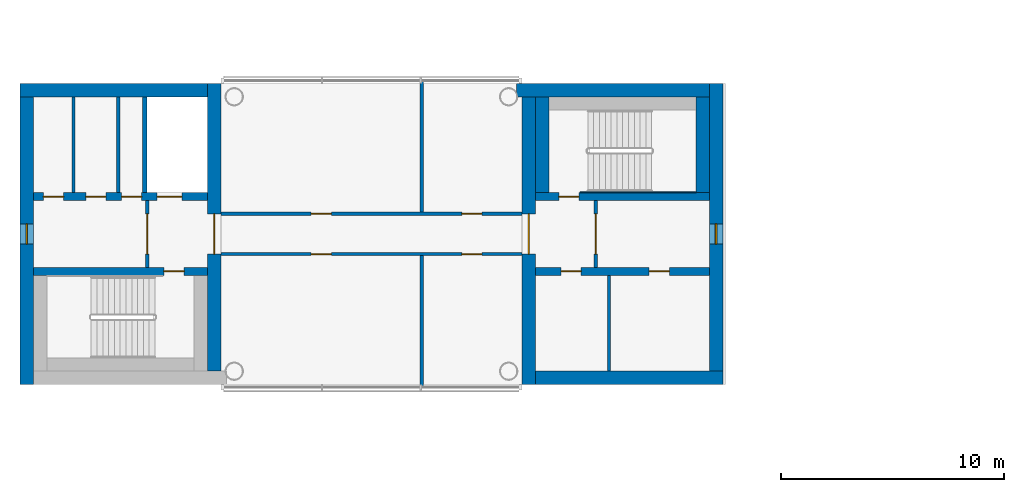
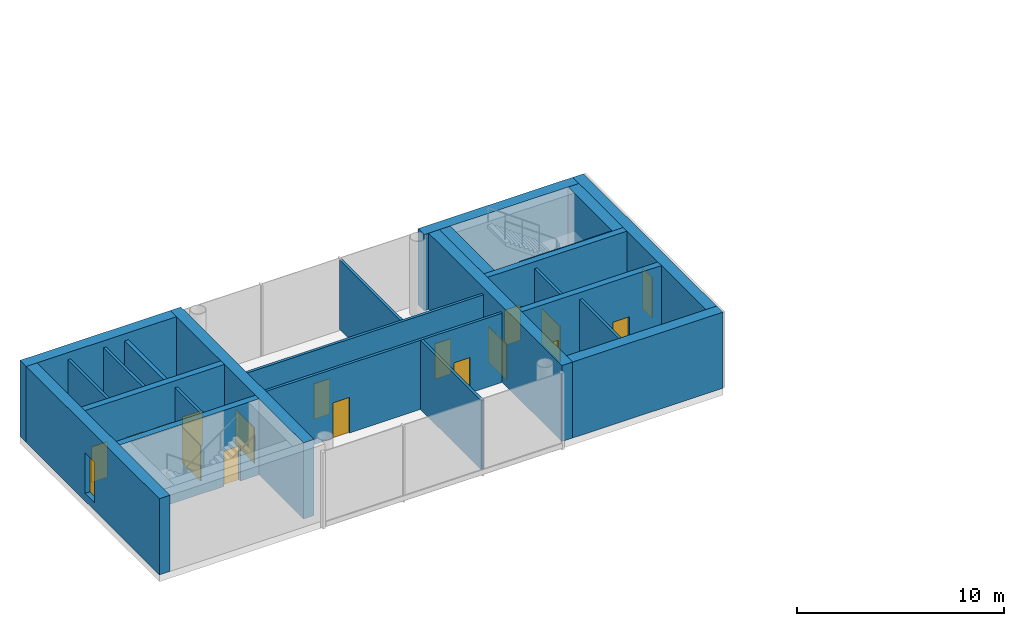
# One storey, part 5 of 12: 24 walls, 16 doors, 2 windows, 18 openings.
"""IFC4 building model written with IfcOpenShell, lengths in metres."""

from ifc_helpers import new_model, si_unit, direction, frame, frame_2d, origin, place, context, subcontext, project, spatial, rectangle, extrude, material, layer, layer_set, type_object, element, fill, save


model = new_model("IFC4")

# Units and contexts
model_context = context("Model", 3, precision=1e-05, world=origin(), true_north=direction((0.0, 1.0)))
body_context = subcontext(model_context, "Body", "Model", "MODEL_VIEW")
ifc_project = project(units=[si_unit("LENGTHUNIT", "METRE"), si_unit("AREAUNIT", "SQUARE_METRE"), si_unit("VOLUMEUNIT", "CUBIC_METRE"), si_unit("PLANEANGLEUNIT", "RADIAN"), si_unit("MASSUNIT", "GRAM", prefix="KILO")], contexts=[model_context])

# Site, building, storey
site_placement = place(None, origin())
site = spatial("IfcSite", under=ifc_project, at=site_placement, CompositionType="ELEMENT")
building_placement = place(site_placement, origin())
building = spatial("IfcBuilding", under=site, at=building_placement, Name="Ipe Terrace Towers", CompositionType="ELEMENT")
storey_placement = place(building_placement, frame((0.0, 0.0, 260.39990234375)))
storey = spatial("IfcBuildingStorey", under=building, at=storey_placement, Name="L71", CompositionType="ELEMENT", Elevation=260.39990234375)

# Wall, opening, door
ifc_material_1 = material(Name="Gypsum board partition", Category="plasterboard")
ifc_layer_1 = layer(ifc_material_1, 0.14990234375)
ifc_layer_set_1 = layer_set([ifc_layer_1], Name="Gypsum board partition 150 mm")
wall_type_1 = type_object("IfcWallType", Name="Gypsum board partition 150 mm", PredefinedType="PARTITIONING", material=ifc_layer_set_1)
wall_1_placement = place(storey_placement, frame((-25.949951171875, -1.5, 0.0), z_axis=(0.0, 0.0, 1.0), x_axis=(0.0, 1.0, 0.0)))
wall_1 = element("IfcWall", 1, at=wall_1_placement, inside=storey, type_object=wall_type_1, Name="Gypsum board partition T1 L71 t1c1-lobby-wall", PredefinedType="PARTITIONING", context=body_context, shape_type="SweptSolid", body=[
    extrude(rectangle(XDim=3.0, YDim=0.14990234375, at=frame_2d((1.5, 0.0))), origin(), (0.0, 0.0, 1.0), 4.090087890625),
])
opening_1_placement = place(wall_1_placement, frame((0.60009765625, 0.0, 0.0)))
opening_1 = element("IfcOpeningElement", 2, at=opening_1_placement, cuts=wall_1, Name="Opening T1C1-VD", PredefinedType="OPENING", context=body_context, shape_type="SweptSolid", body=[
    extrude(rectangle(XDim=1.800048828125, YDim=2.10009765625, at=frame_2d((0.89990234375, 1.050048828125))), frame((0.0, 0.0849609375, 0.0), z_axis=(0.0, -1.0, 0.0), x_axis=(1.0, 0.0, 0.0)), (0.0, 0.0, 1.0), 0.169921875),
])
ifc_material_2 = material(Name="Fire-rated timber door leaf", Category="wood")
door_type_1 = type_object("IfcDoorType", Name="Lobby door 1800 x 2100 FD60", OperationType="NOTDEFINED", PredefinedType="DOOR", material=ifc_material_2)
door_1_placement = place(opening_1_placement, origin())
door_1 = element("IfcDoor", 3, at=door_1_placement, inside=storey, type_object=door_type_1, Name="Lobby door T1C1-VD", OperationType="SINGLE_SWING_LEFT", OverallHeight=2.10009765625, OverallWidth=1.800048828125, PredefinedType="DOOR", context=body_context, shape_type="SweptSolid", body=[
    extrude(rectangle(XDim=1.800048828125, YDim=2.10009765625, at=frame_2d((0.89990234375, 1.050048828125))), frame((0.0, 0.02490234375, 0.0), z_axis=(0.0, -1.0, 0.0), x_axis=(1.0, 0.0, 0.0)), (0.0, 0.0, 1.0), 0.050048828125),
])
fill(opening_1, door_1)

# Wall
wall_2_placement = place(storey_placement, frame((-25.35009765625, -6.14990234375, 0.0), z_axis=(0.0, 0.0, 1.0), x_axis=(0.0, 1.0, 0.0)))
element("IfcWall", 4, at=wall_2_placement, inside=storey, type_object=wall_type_1, Name="Gypsum board partition T1 L71 t1c1-p2-div", PredefinedType="PARTITIONING", context=body_context, shape_type="SweptSolid", body=[
    extrude(rectangle(XDim=4.2998046875, YDim=0.14990234375, at=frame_2d((2.14990234375, 0.0))), origin(), (0.0, 0.0, 1.0), 4.090087890625),
])

# Wall, opening, door
wall_3_placement = place(storey_placement, frame((-46.050048828125, 1.5, 0.0), z_axis=(0.0, 0.0, 1.0), x_axis=(0.0, -1.0, 0.0)))
wall_3 = element("IfcWall", 5, at=wall_3_placement, inside=storey, type_object=wall_type_1, Name="Gypsum board partition T1 L71 t1c2-lobby-wall", PredefinedType="PARTITIONING", context=body_context, shape_type="SweptSolid", body=[
    extrude(rectangle(XDim=3.0, YDim=0.14990234375, at=frame_2d((1.5, 0.0))), origin(), (0.0, 0.0, 1.0), 4.090087890625),
])
opening_2_placement = place(wall_3_placement, frame((0.60009765625, 0.0, 0.0)))
opening_2 = element("IfcOpeningElement", 6, at=opening_2_placement, cuts=wall_3, Name="Opening T1C2-VD", PredefinedType="OPENING", context=body_context, shape_type="SweptSolid", body=[
    extrude(rectangle(XDim=1.800048828125, YDim=2.10009765625, at=frame_2d((0.89990234375, 1.050048828125))), frame((0.0, 0.0849609375, 0.0), z_axis=(0.0, -1.0, 0.0), x_axis=(1.0, 0.0, 0.0)), (0.0, 0.0, 1.0), 0.169921875),
])
door_2_placement = place(opening_2_placement, origin())
door_2 = element("IfcDoor", 7, at=door_2_placement, inside=storey, type_object=door_type_1, Name="Lobby door T1C2-VD", OperationType="SINGLE_SWING_LEFT", OverallHeight=2.10009765625, OverallWidth=1.800048828125, PredefinedType="DOOR", context=body_context, shape_type="SweptSolid", body=[
    extrude(rectangle(XDim=1.800048828125, YDim=2.10009765625, at=frame_2d((0.89990234375, 1.050048828125))), frame((0.0, 0.02490234375, 0.0), z_axis=(0.0, -1.0, 0.0), x_axis=(1.0, 0.0, 0.0)), (0.0, 0.0, 1.0), 0.050048828125),
])
fill(opening_2, door_2)

# Walls
for number, where, z_axis, x_axis, name in (
    (8, (-47.35009765625, 6.14990234375, 0.0), (0.0, 0.0, 1.0), (0.0, -1.0, 0.0), "Gypsum board partition T1 L71 t1c2-q2-div"),
    (9, (-49.35009765625, 6.14990234375, 0.0), (0.0, 0.0, 1.0), (0.0, -1.0, 0.0), "Gypsum board partition T1 L71 t1c2-q3-div"),
):
    element("IfcWall", number, at=place(storey_placement, frame(where, z_axis=z_axis, x_axis=x_axis)), inside=storey, type_object=wall_type_1, Name=name, PredefinedType="PARTITIONING", context=body_context, shape_type="SweptSolid", body=[
        extrude(rectangle(XDim=4.2998046875, YDim=0.14990234375, at=frame_2d((2.14990234375, 0.0))), origin(), (0.0, 0.0, 1.0), 4.090087890625),
    ])

# Wall, openings, doors
wall_4_placement = place(storey_placement, frame((-42.75, 0.89990234375, 0.0), z_axis=(0.0, 0.0, 1.0), x_axis=(1.0, 0.0, 0.0)))
wall_4 = element("IfcWall", 10, at=wall_4_placement, inside=storey, type_object=wall_type_1, Name="Gypsum board partition T1 L71 sp-hub-wp", PredefinedType="PARTITIONING", context=body_context, shape_type="SweptSolid", body=[
    extrude(rectangle(XDim=13.5, YDim=0.14990234375, at=frame_2d((6.75, 0.0))), origin(), (0.0, 0.0, 1.0), 4.090087890625),
])
opening_3_placement = place(wall_4_placement, frame((4.050048828125, 0.0, 0.0)))
opening_3 = element("IfcOpeningElement", 11, at=opening_3_placement, cuts=wall_4, Name="Opening T1-SP-HP1", PredefinedType="OPENING", context=body_context, shape_type="SweptSolid", body=[
    extrude(rectangle(XDim=0.89990234375, YDim=2.10009765625, at=frame_2d((0.449951171875, 1.050048828125))), frame((0.0, 0.0849609375, 0.0), z_axis=(0.0, -1.0, 0.0), x_axis=(1.0, 0.0, 0.0)), (0.0, 0.0, 1.0), 0.169921875),
])
opening_4_placement = place(wall_4_placement, frame((10.800048828125, 0.0, 0.0)))
opening_4 = element("IfcOpeningElement", 12, at=opening_4_placement, cuts=wall_4, Name="Opening T1-SP-HP2", PredefinedType="OPENING", context=body_context, shape_type="SweptSolid", body=[
    extrude(rectangle(XDim=0.89990234375, YDim=2.10009765625, at=frame_2d((0.449951171875, 1.050048828125))), frame((0.0, 0.0849609375, 0.0), z_axis=(0.0, -1.0, 0.0), x_axis=(1.0, 0.0, 0.0)), (0.0, 0.0, 1.0), 0.169921875),
])
ifc_material_3 = material(Name="Fire-rated timber door leaf", Category="wood")
door_type_2 = type_object("IfcDoorType", Name="Service door 900 x 2100 FD60", OperationType="NOTDEFINED", PredefinedType="DOOR", material=ifc_material_3)
door_3_placement = place(opening_3_placement, origin())
door_3 = element("IfcDoor", 13, at=door_3_placement, inside=storey, type_object=door_type_2, Name="Service door T1-SP-HP1", OperationType="SINGLE_SWING_RIGHT", OverallHeight=2.10009765625, OverallWidth=0.89990234375, PredefinedType="DOOR", context=body_context, shape_type="SweptSolid", body=[
    extrude(rectangle(XDim=0.89990234375, YDim=2.10009765625, at=frame_2d((0.449951171875, 1.050048828125))), frame((0.0, 0.02490234375, 0.0), z_axis=(0.0, -1.0, 0.0), x_axis=(1.0, 0.0, 0.0)), (0.0, 0.0, 1.0), 0.050048828125),
])
fill(opening_3, door_3)
door_4_placement = place(opening_4_placement, origin())
door_4 = element("IfcDoor", 14, at=door_4_placement, inside=storey, type_object=door_type_2, Name="Service door T1-SP-HP2", OperationType="SINGLE_SWING_LEFT", OverallHeight=2.10009765625, OverallWidth=0.89990234375, PredefinedType="DOOR", context=body_context, shape_type="SweptSolid", body=[
    extrude(rectangle(XDim=0.89990234375, YDim=2.10009765625, at=frame_2d((0.449951171875, 1.050048828125))), frame((0.0, 0.02490234375, 0.0), z_axis=(0.0, -1.0, 0.0), x_axis=(1.0, 0.0, 0.0)), (0.0, 0.0, 1.0), 0.050048828125),
])
fill(opening_4, door_4)

# Wall
wall_5_placement = place(storey_placement, frame((-33.75, 0.97509765625, 0.0), z_axis=(0.0, 0.0, 1.0), x_axis=(0.0, 1.0, 0.0)))
element("IfcWall", 15, at=wall_5_placement, inside=storey, type_object=wall_type_1, Name="Gypsum board partition T1 L71 sp-hub-dp", PredefinedType="PARTITIONING", context=body_context, shape_type="SweptSolid", body=[
    extrude(rectangle(XDim=5.875, YDim=0.14990234375, at=frame_2d((2.9375, 0.0))), origin(), (0.0, 0.0, 1.0), 4.090087890625),
])

# Wall, openings, doors
wall_6_placement = place(storey_placement, frame((-42.75, -0.89990234375, 0.0), z_axis=(0.0, 0.0, 1.0), x_axis=(1.0, 0.0, 0.0)))
wall_6 = element("IfcWall", 16, at=wall_6_placement, inside=storey, type_object=wall_type_1, Name="Gypsum board partition T1 L71 sp-hub-wm", PredefinedType="PARTITIONING", context=body_context, shape_type="SweptSolid", body=[
    extrude(rectangle(XDim=13.5, YDim=0.14990234375, at=frame_2d((6.75, 0.0))), origin(), (0.0, 0.0, 1.0), 4.090087890625),
])
opening_5_placement = place(wall_6_placement, frame((4.050048828125, 0.0, 0.0)))
opening_5 = element("IfcOpeningElement", 17, at=opening_5_placement, cuts=wall_6, Name="Opening T1-SP-HM1", PredefinedType="OPENING", context=body_context, shape_type="SweptSolid", body=[
    extrude(rectangle(XDim=0.89990234375, YDim=2.10009765625, at=frame_2d((0.449951171875, 1.050048828125))), frame((0.0, 0.0849609375, 0.0), z_axis=(0.0, -1.0, 0.0), x_axis=(1.0, 0.0, 0.0)), (0.0, 0.0, 1.0), 0.169921875),
])
opening_6_placement = place(wall_6_placement, frame((10.800048828125, 0.0, 0.0)))
opening_6 = element("IfcOpeningElement", 18, at=opening_6_placement, cuts=wall_6, Name="Opening T1-SP-HM2", PredefinedType="OPENING", context=body_context, shape_type="SweptSolid", body=[
    extrude(rectangle(XDim=0.89990234375, YDim=2.10009765625, at=frame_2d((0.449951171875, 1.050048828125))), frame((0.0, 0.0849609375, 0.0), z_axis=(0.0, -1.0, 0.0), x_axis=(1.0, 0.0, 0.0)), (0.0, 0.0, 1.0), 0.169921875),
])
door_5_placement = place(opening_5_placement, origin())
door_5 = element("IfcDoor", 19, at=door_5_placement, inside=storey, type_object=door_type_2, Name="Service door T1-SP-HM1", OperationType="SINGLE_SWING_LEFT", OverallHeight=2.10009765625, OverallWidth=0.89990234375, PredefinedType="DOOR", context=body_context, shape_type="SweptSolid", body=[
    extrude(rectangle(XDim=0.89990234375, YDim=2.10009765625, at=frame_2d((0.449951171875, 1.050048828125))), frame((0.0, 0.02490234375, 0.0), z_axis=(0.0, -1.0, 0.0), x_axis=(1.0, 0.0, 0.0)), (0.0, 0.0, 1.0), 0.050048828125),
])
fill(opening_5, door_5)
door_6_placement = place(opening_6_placement, origin())
door_6 = element("IfcDoor", 20, at=door_6_placement, inside=storey, type_object=door_type_2, Name="Service door T1-SP-HM2", OperationType="SINGLE_SWING_RIGHT", OverallHeight=2.10009765625, OverallWidth=0.89990234375, PredefinedType="DOOR", context=body_context, shape_type="SweptSolid", body=[
    extrude(rectangle(XDim=0.89990234375, YDim=2.10009765625, at=frame_2d((0.449951171875, 1.050048828125))), frame((0.0, 0.02490234375, 0.0), z_axis=(0.0, -1.0, 0.0), x_axis=(1.0, 0.0, 0.0)), (0.0, 0.0, 1.0), 0.050048828125),
])
fill(opening_6, door_6)

# Walls
wall_7_placement = place(storey_placement, frame((-33.75, -0.97509765625, 0.0), z_axis=(0.0, 0.0, 1.0), x_axis=(0.0, -1.0, 0.0)))
element("IfcWall", 21, at=wall_7_placement, inside=storey, type_object=wall_type_1, Name="Gypsum board partition T1 L71 sp-hub-dm", PredefinedType="PARTITIONING", context=body_context, shape_type="SweptSolid", body=[
    extrude(rectangle(XDim=5.875, YDim=0.14990234375, at=frame_2d((2.9375, 0.0))), origin(), (0.0, 0.0, 1.0), 4.090087890625),
])
ifc_material_4 = material(Name="Gypsum board party wall", Category="plasterboard")
ifc_layer_2 = layer(ifc_material_4, 0.199951171875)
ifc_layer_set_2 = layer_set([ifc_layer_2], Name="Gypsum board party wall 200 mm")
wall_type_2 = type_object("IfcWallType", Name="Gypsum board party wall 200 mm", PredefinedType="SOLIDWALL", material=ifc_layer_set_2)
wall_8_placement = place(storey_placement, frame((-46.14990234375, 6.14990234375, 0.0), z_axis=(0.0, 0.0, 1.0), x_axis=(0.0, -1.0, 0.0)))
element("IfcWall", 22, at=wall_8_placement, inside=storey, type_object=wall_type_2, Name="Gypsum board party wall T1 L71 t1c2-shaft-div1", PredefinedType="SOLIDWALL", context=body_context, shape_type="SweptSolid", body=[
    extrude(rectangle(XDim=4.2998046875, YDim=0.199951171875, at=frame_2d((2.14990234375, 0.0))), origin(), (0.0, 0.0, 1.0), 4.090087890625),
])

# Wall, openings, doors
ifc_material_5 = material(Name="Concrete C40/50", Category="concrete")
ifc_layer_3 = layer(ifc_material_5, 0.35009765625)
ifc_layer_set_3 = layer_set([ifc_layer_3], Name="RW350 CORE SPINE WALL 350 C40-50")
wall_type_3 = type_object("IfcWallType", Name="RW350 CORE SPINE WALL 350 C40-50", PredefinedType="SHEAR", material=ifc_layer_set_3)
wall_9_placement = place(storey_placement, frame((-28.64990234375, -1.675048828125, 0.0), z_axis=(0.0, 0.0, 1.0), x_axis=(1.0, 0.0, 0.0)))
wall_9 = element("IfcWall", 23, at=wall_9_placement, inside=storey, type_object=wall_type_3, Name="Core spine wall T1-C1-Z4-SW1", PredefinedType="SHEAR", context=body_context, shape_type="SweptSolid", body=[
    extrude(rectangle(XDim=7.7998046875, YDim=0.35009765625, at=frame_2d((3.89990234375, 0.0))), origin(), (0.0, 0.0, 1.0), 4.5),
])
opening_7_placement = place(wall_9_placement, frame((1.14990234375, 0.0, 0.0)))
opening_7 = element("IfcOpeningElement", 24, at=opening_7_placement, cuts=wall_9, Name="Opening T1C1-R1", PredefinedType="OPENING", context=body_context, shape_type="SweptSolid", body=[
    extrude(rectangle(XDim=0.89990234375, YDim=2.10009765625, at=frame_2d((0.449951171875, 1.050048828125))), frame((0.0, 0.18505859375, 0.0), z_axis=(0.0, -1.0, 0.0), x_axis=(1.0, 0.0, 0.0)), (0.0, 0.0, 1.0), 0.3701171875),
])
opening_8_placement = place(wall_9_placement, frame((5.10009765625, 0.0, 0.0)))
opening_8 = element("IfcOpeningElement", 25, at=opening_8_placement, cuts=wall_9, Name="Opening T1C1-R2", PredefinedType="OPENING", context=body_context, shape_type="SweptSolid", body=[
    extrude(rectangle(XDim=0.89990234375, YDim=2.10009765625, at=frame_2d((0.449951171875, 1.050048828125))), frame((0.0, 0.18505859375, 0.0), z_axis=(0.0, -1.0, 0.0), x_axis=(1.0, 0.0, 0.0)), (0.0, 0.0, 1.0), 0.3701171875),
])
door_7_placement = place(opening_7_placement, origin())
door_7 = element("IfcDoor", 26, at=door_7_placement, inside=storey, type_object=door_type_2, Name="Service door T1C1-R1", OperationType="SINGLE_SWING_RIGHT", OverallHeight=2.10009765625, OverallWidth=0.89990234375, PredefinedType="DOOR", context=body_context, shape_type="SweptSolid", body=[
    extrude(rectangle(XDim=0.89990234375, YDim=2.10009765625, at=frame_2d((0.449951171875, 1.050048828125))), frame((0.0, 0.02490234375, 0.0), z_axis=(0.0, -1.0, 0.0), x_axis=(1.0, 0.0, 0.0)), (0.0, 0.0, 1.0), 0.050048828125),
])
fill(opening_7, door_7)
door_8_placement = place(opening_8_placement, origin())
door_8 = element("IfcDoor", 27, at=door_8_placement, inside=storey, type_object=door_type_2, Name="Service door T1C1-R2", OperationType="SINGLE_SWING_LEFT", OverallHeight=2.10009765625, OverallWidth=0.89990234375, PredefinedType="DOOR", context=body_context, shape_type="SweptSolid", body=[
    extrude(rectangle(XDim=0.89990234375, YDim=2.10009765625, at=frame_2d((0.449951171875, 1.050048828125))), frame((0.0, 0.02490234375, 0.0), z_axis=(0.0, -1.0, 0.0), x_axis=(1.0, 0.0, 0.0)), (0.0, 0.0, 1.0), 0.050048828125),
])
fill(opening_8, door_8)

# Wall, opening, door
wall_10_placement = place(storey_placement, frame((-28.64990234375, 1.675048828125, 0.0), z_axis=(0.0, 0.0, 1.0), x_axis=(1.0, 0.0, 0.0)))
wall_10 = element("IfcWall", 28, at=wall_10_placement, inside=storey, type_object=wall_type_3, Name="Core spine wall T1-C1-Z4-SW2", PredefinedType="SHEAR", context=body_context, shape_type="SweptSolid", body=[
    extrude(rectangle(XDim=7.7998046875, YDim=0.35009765625, at=frame_2d((3.89990234375, 0.0))), origin(), (0.0, 0.0, 1.0), 4.5),
])
opening_9_placement = place(wall_10_placement, frame((1.050048828125, 0.0, 0.0)))
opening_9 = element("IfcOpeningElement", 29, at=opening_9_placement, cuts=wall_10, Name="Opening T1C1-SD", PredefinedType="OPENING", context=body_context, shape_type="SweptSolid", body=[
    extrude(rectangle(XDim=0.89990234375, YDim=2.10009765625, at=frame_2d((0.449951171875, 1.050048828125))), frame((0.0, 0.18505859375, 0.0), z_axis=(0.0, -1.0, 0.0), x_axis=(1.0, 0.0, 0.0)), (0.0, 0.0, 1.0), 0.3701171875),
])
ifc_material_6 = material(Name="Fire-rated timber door leaf", Category="wood")
door_type_3 = type_object("IfcDoorType", Name="Stair door 900 x 2100 FD60", OperationType="NOTDEFINED", PredefinedType="DOOR", material=ifc_material_6)
door_9_placement = place(opening_9_placement, origin())
door_9 = element("IfcDoor", 30, at=door_9_placement, inside=storey, type_object=door_type_3, Name="Stair door T1C1-SD", OperationType="SINGLE_SWING_LEFT", OverallHeight=2.10009765625, OverallWidth=0.89990234375, PredefinedType="DOOR", context=body_context, shape_type="SweptSolid", body=[
    extrude(rectangle(XDim=0.89990234375, YDim=2.10009765625, at=frame_2d((0.449951171875, 1.050048828125))), frame((0.0, 0.02490234375, 0.0), z_axis=(0.0, -1.0, 0.0), x_axis=(1.0, 0.0, 0.0)), (0.0, 0.0, 1.0), 0.050048828125),
])
fill(opening_9, door_9)

wall_11_placement = place(storey_placement, frame((-51.14990234375, -1.675048828125, 0.0), z_axis=(0.0, 0.0, 1.0), x_axis=(1.0, 0.0, 0.0)))
wall_11 = element("IfcWall", 31, at=wall_11_placement, inside=storey, type_object=wall_type_3, Name="Core spine wall T1-C2-Z4-SW1", PredefinedType="SHEAR", context=body_context, shape_type="SweptSolid", body=[
    extrude(rectangle(XDim=7.7998046875, YDim=0.35009765625, at=frame_2d((3.89990234375, 0.0))), origin(), (0.0, 0.0, 1.0), 4.5),
])
opening_10_placement = place(wall_11_placement, frame((5.85009765625, 0.0, 0.0)))
opening_10 = element("IfcOpeningElement", 32, at=opening_10_placement, cuts=wall_11, Name="Opening T1C2-SD", PredefinedType="OPENING", context=body_context, shape_type="SweptSolid", body=[
    extrude(rectangle(XDim=0.89990234375, YDim=2.10009765625, at=frame_2d((0.449951171875, 1.050048828125))), frame((0.0, 0.18505859375, 0.0), z_axis=(0.0, -1.0, 0.0), x_axis=(1.0, 0.0, 0.0)), (0.0, 0.0, 1.0), 0.3701171875),
])
door_10_placement = place(opening_10_placement, origin())
door_10 = element("IfcDoor", 33, at=door_10_placement, inside=storey, type_object=door_type_3, Name="Stair door T1C2-SD", OperationType="SINGLE_SWING_RIGHT", OverallHeight=2.10009765625, OverallWidth=0.89990234375, PredefinedType="DOOR", context=body_context, shape_type="SweptSolid", body=[
    extrude(rectangle(XDim=0.89990234375, YDim=2.10009765625, at=frame_2d((0.449951171875, 1.050048828125))), frame((0.0, 0.02490234375, 0.0), z_axis=(0.0, -1.0, 0.0), x_axis=(1.0, 0.0, 0.0)), (0.0, 0.0, 1.0), 0.050048828125),
])
fill(opening_10, door_10)

# Wall, openings, doors
wall_12_placement = place(storey_placement, frame((-51.14990234375, 1.675048828125, 0.0), z_axis=(0.0, 0.0, 1.0), x_axis=(1.0, 0.0, 0.0)))
wall_12 = element("IfcWall", 34, at=wall_12_placement, inside=storey, type_object=wall_type_3, Name="Core spine wall T1-C2-Z4-SW2", PredefinedType="SHEAR", context=body_context, shape_type="SweptSolid", body=[
    extrude(rectangle(XDim=7.7998046875, YDim=0.35009765625, at=frame_2d((3.89990234375, 0.0))), origin(), (0.0, 0.0, 1.0), 4.5),
])
opening_11_placement = place(wall_12_placement, frame((5.550048828125, 0.0, 0.0)))
opening_11 = element("IfcOpeningElement", 35, at=opening_11_placement, cuts=wall_12, Name="Opening T1C2-LD1", PredefinedType="OPENING", context=body_context, shape_type="SweptSolid", body=[
    extrude(rectangle(XDim=1.10009765625, YDim=2.10009765625, at=frame_2d((0.550048828125, 1.050048828125))), frame((0.0, 0.18505859375, 0.0), z_axis=(0.0, -1.0, 0.0), x_axis=(1.0, 0.0, 0.0)), (0.0, 0.0, 1.0), 0.3701171875),
])
opening_12_placement = place(wall_12_placement, frame((3.949951171875, 0.0, 0.0)))
opening_12 = element("IfcOpeningElement", 36, at=opening_12_placement, cuts=wall_12, Name="Opening T1C2-R1-NR", PredefinedType="OPENING", context=body_context, shape_type="SweptSolid", body=[
    extrude(rectangle(XDim=0.89990234375, YDim=2.10009765625, at=frame_2d((0.449951171875, 1.050048828125))), frame((0.0, 0.18505859375, 0.0), z_axis=(0.0, -1.0, 0.0), x_axis=(1.0, 0.0, 0.0)), (0.0, 0.0, 1.0), 0.3701171875),
])
opening_13_placement = place(wall_12_placement, frame((2.35009765625, 0.0, 0.0)))
opening_13 = element("IfcOpeningElement", 37, at=opening_13_placement, cuts=wall_12, Name="Opening T1C2-R2", PredefinedType="OPENING", context=body_context, shape_type="SweptSolid", body=[
    extrude(rectangle(XDim=0.89990234375, YDim=2.10009765625, at=frame_2d((0.449951171875, 1.050048828125))), frame((0.0, 0.18505859375, 0.0), z_axis=(0.0, -1.0, 0.0), x_axis=(1.0, 0.0, 0.0)), (0.0, 0.0, 1.0), 0.3701171875),
])
opening_14_placement = place(wall_12_placement, frame((0.449951171875, 0.0, 0.0)))
opening_14 = element("IfcOpeningElement", 38, at=opening_14_placement, cuts=wall_12, Name="Opening T1C2-R3", PredefinedType="OPENING", context=body_context, shape_type="SweptSolid", body=[
    extrude(rectangle(XDim=0.89990234375, YDim=2.10009765625, at=frame_2d((0.449951171875, 1.050048828125))), frame((0.0, 0.18505859375, 0.0), z_axis=(0.0, -1.0, 0.0), x_axis=(1.0, 0.0, 0.0)), (0.0, 0.0, 1.0), 0.3701171875),
])
ifc_material_7 = material(Name="Fire-rated timber door leaf", Category="wood")
door_type_4 = type_object("IfcDoorType", Name="Service door 900 x 2100 FD30S", OperationType="NOTDEFINED", PredefinedType="DOOR", material=ifc_material_7)
door_11_placement = place(opening_13_placement, origin())
door_11 = element("IfcDoor", 39, at=door_11_placement, inside=storey, type_object=door_type_4, Name="Service door T1C2-R2", OperationType="SINGLE_SWING_RIGHT", OverallHeight=2.10009765625, OverallWidth=0.89990234375, PredefinedType="DOOR", context=body_context, shape_type="SweptSolid", body=[
    extrude(rectangle(XDim=0.89990234375, YDim=2.10009765625, at=frame_2d((0.449951171875, 1.050048828125))), frame((0.0, 0.02490234375, 0.0), z_axis=(0.0, -1.0, 0.0), x_axis=(1.0, 0.0, 0.0)), (0.0, 0.0, 1.0), 0.050048828125),
])
fill(opening_13, door_11)
ifc_material_8 = material(Name="Fire-rated timber door leaf", Category="wood")
door_type_5 = type_object("IfcDoorType", Name="Sliding door 1100 x 2100 FD60", OperationType="SLIDING_TO_LEFT", PredefinedType="DOOR", material=ifc_material_8)
door_12_placement = place(opening_11_placement, origin())
door_12 = element("IfcDoor", 40, at=door_12_placement, inside=storey, type_object=door_type_5, Name="Sliding door T1C2-LD1", OperationType="SLIDING_TO_LEFT", OverallHeight=2.10009765625, OverallWidth=1.10009765625, PredefinedType="DOOR", context=body_context, shape_type="SweptSolid", body=[
    extrude(rectangle(XDim=1.10009765625, YDim=2.10009765625, at=frame_2d((0.550048828125, 1.050048828125))), frame((0.0, 0.02490234375, 0.0), z_axis=(0.0, -1.0, 0.0), x_axis=(1.0, 0.0, 0.0)), (0.0, 0.0, 1.0), 0.050048828125),
])
fill(opening_11, door_12)
ifc_material_9 = material(Name="Timber door leaf", Category="wood")
door_type_6 = type_object("IfcDoorType", Name="Store door 900 x 2100", OperationType="NOTDEFINED", PredefinedType="DOOR", material=ifc_material_9)
door_13_placement = place(opening_12_placement, origin())
door_13 = element("IfcDoor", 41, at=door_13_placement, inside=storey, type_object=door_type_6, Name="Store door T1C2-R1-NR", OperationType="SINGLE_SWING_LEFT", OverallHeight=2.10009765625, OverallWidth=0.89990234375, PredefinedType="DOOR", context=body_context, shape_type="SweptSolid", body=[
    extrude(rectangle(XDim=0.89990234375, YDim=2.10009765625, at=frame_2d((0.449951171875, 1.050048828125))), frame((0.0, 0.02490234375, 0.0), z_axis=(0.0, -1.0, 0.0), x_axis=(1.0, 0.0, 0.0)), (0.0, 0.0, 1.0), 0.050048828125),
])
fill(opening_12, door_13)
door_14_placement = place(opening_14_placement, origin())
door_14 = element("IfcDoor", 42, at=door_14_placement, inside=storey, type_object=door_type_6, Name="Store door T1C2-R3", OperationType="SINGLE_SWING_LEFT", OverallHeight=2.10009765625, OverallWidth=0.89990234375, PredefinedType="DOOR", context=body_context, shape_type="SweptSolid", body=[
    extrude(rectangle(XDim=0.89990234375, YDim=2.10009765625, at=frame_2d((0.449951171875, 1.050048828125))), frame((0.0, 0.02490234375, 0.0), z_axis=(0.0, -1.0, 0.0), x_axis=(1.0, 0.0, 0.0)), (0.0, 0.0, 1.0), 0.050048828125),
])
fill(opening_14, door_14)

# Walls
ifc_material_10 = material(Name="Concrete C40/50", Category="concrete")
ifc_layer_4 = layer(ifc_material_10, 0.050048828125)
ifc_layer_set_4 = layer_set([ifc_layer_4], Name="RW50 CORE INFILL WALL 50 C40-50")
wall_type_4 = type_object("IfcWallType", Name="RW50 CORE INFILL WALL 50 C40-50", PredefinedType="SHEAR", material=ifc_layer_set_4)
wall_13_placement = place(storey_placement, frame((-26.64990234375, 1.875, 0.0), z_axis=(0.0, 0.0, 1.0), x_axis=(1.0, 0.0, 0.0)))
element("IfcWall", 43, at=wall_13_placement, inside=storey, type_object=wall_type_4, Name="Core infill wall T1-C1-spine-b", PredefinedType="SHEAR", context=body_context, shape_type="SweptSolid", body=[
    extrude(rectangle(XDim=5.199951171875, YDim=0.050048828125, at=frame_2d((2.60009765625, 0.0))), origin(), (0.0, 0.0, 1.0), 4.5),
])
ifc_material_11 = material(Name="Concrete C40/50", Category="concrete")
ifc_layer_5 = layer(ifc_material_11, 0.60009765625)
ifc_layer_set_5 = layer_set([ifc_layer_5], Name="RW600 CORE INFILL WALL 600 C40-50")
wall_type_5 = type_object("IfcWallType", Name="RW600 CORE INFILL WALL 600 C40-50", PredefinedType="SHEAR", material=ifc_layer_set_5)
for number, where, z_axis, x_axis, name in (
    (44, (-21.14990234375, 1.85009765625, 0.0), (0.0, 0.0, 1.0), (0.0, 1.0, 0.0), "Core infill wall T1-C1-far"),
    (45, (-28.35009765625, 1.85009765625, 0.0), (0.0, 0.0, 1.0), (0.0, 1.0, 0.0), "Core infill wall T1-C1-near"),
):
    element("IfcWall", number, at=place(storey_placement, frame(where, z_axis=z_axis, x_axis=x_axis)), inside=storey, type_object=wall_type_5, Name=name, PredefinedType="SHEAR", context=body_context, shape_type="SweptSolid", body=[
        extrude(rectangle(XDim=4.2998046875, YDim=0.60009765625, at=frame_2d((2.14990234375, 0.0))), origin(), (0.0, 0.0, 1.0), 4.5),
    ])
ifc_material_12 = material(Name="Concrete C40/50", Category="concrete")
ifc_layer_6 = layer(ifc_material_12, 0.60009765625)
ifc_layer_set_6 = layer_set([ifc_layer_6], Name="RW600 CORE WALL 600 C40-50")
wall_type_6 = type_object("IfcWallType", Name="RW600 CORE WALL 600 C40-50", PredefinedType="SHEAR", material=ifc_layer_set_6)
wall_14_placement = place(storey_placement, frame((-28.64990234375, -6.449951171875, 0.0), z_axis=(0.0, 0.0, 1.0), x_axis=(1.0, 0.0, 0.0)))
element("IfcWall", 46, at=wall_14_placement, inside=storey, type_object=wall_type_6, Name="Core wall T1-C1-Z4-W01", PredefinedType="SHEAR", context=body_context, shape_type="SweptSolid", body=[
    extrude(rectangle(XDim=8.39990234375, YDim=0.60009765625, at=frame_2d((4.199951171875, 0.0))), origin(), (0.0, 0.0, 1.0), 4.5),
])

# Wall, opening, window
wall_15_placement = place(storey_placement, frame((-20.550048828125, -6.14990234375, 0.0), z_axis=(0.0, 0.0, 1.0), x_axis=(0.0, 1.0, 0.0)))
wall_15 = element("IfcWall", 47, at=wall_15_placement, inside=storey, type_object=wall_type_6, Name="Core wall T1-C1-Z4-W02", PredefinedType="SHEAR", context=body_context, shape_type="SweptSolid", body=[
    extrude(rectangle(XDim=12.89990234375, YDim=0.60009765625, at=frame_2d((6.449951171875, 0.0))), origin(), (0.0, 0.0, 1.0), 4.5),
])
opening_15_placement = place(wall_15_placement, frame((5.699951171875, 0.0, 0.449951171875)))
opening_15 = element("IfcOpeningElement", 48, at=opening_15_placement, cuts=wall_15, Name="Opening T1-C1-W-01-L71", PredefinedType="OPENING", context=body_context, shape_type="SweptSolid", body=[
    extrude(rectangle(XDim=0.89990234375, YDim=2.39990234375, at=frame_2d((0.449951171875, 1.199951171875))), frame((0.0, 0.31005859375, 0.0), z_axis=(0.0, -1.0, 0.0), x_axis=(1.0, 0.0, 0.0)), (0.0, 0.0, 1.0), 0.6201171875),
])
ifc_material_13 = material(Name="Fire-resistant glazing EI 60", Category="glass")
window_type = type_object("IfcWindowType", Name="CORRIDOR END SLOT WINDOW 900 x 2400 EI 60", PartitioningType="SINGLE_PANEL", PredefinedType="WINDOW", material=ifc_material_13)
window_1_placement = place(opening_15_placement, origin())
window_1 = element("IfcWindow", 49, at=window_1_placement, inside=storey, type_object=window_type, Name="W-01 window", OverallHeight=2.39990234375, OverallWidth=0.89990234375, PartitioningType="SINGLE_PANEL", PredefinedType="WINDOW", context=body_context, shape_type="SweptSolid", body=[
    extrude(rectangle(XDim=0.89990234375, YDim=2.39990234375, at=frame_2d((0.449951171875, 1.199951171875))), frame((0.0, 0.030029296875, 0.0), z_axis=(0.0, -1.0, 0.0), x_axis=(1.0, 0.0, 0.0)), (0.0, 0.0, 1.0), 0.06005859375),
])
fill(opening_15, window_1)

# Wall
wall_16_placement = place(storey_placement, frame((-20.85009765625, 6.449951171875, 0.0), z_axis=(0.0, 0.0, 1.0), x_axis=(-1.0, 0.0, 0.0)))
element("IfcWall", 50, at=wall_16_placement, inside=storey, type_object=wall_type_6, Name="Core wall T1-C1-Z4-W03", PredefinedType="SHEAR", context=body_context, shape_type="SweptSolid", body=[
    extrude(rectangle(XDim=8.64794921875, YDim=0.60009765625, at=frame_2d((4.323974609375, 0.0))), origin(), (0.0, 0.0, 1.0), 4.5),
])

# Wall, opening, door
wall_17_placement = place(storey_placement, frame((-28.949951171875, 6.14990234375, 0.0), z_axis=(0.0, 0.0, 1.0), x_axis=(0.0, -1.0, 0.0)))
wall_17 = element("IfcWall", 51, at=wall_17_placement, inside=storey, type_object=wall_type_6, Name="Core wall T1-C1-Z4-W04", PredefinedType="SHEAR", context=body_context, shape_type="SweptSolid", body=[
    extrude(rectangle(XDim=12.89990234375, YDim=0.60009765625, at=frame_2d((6.449951171875, 0.0))), origin(), (0.0, 0.0, 1.0), 4.5),
])
opening_16_placement = place(wall_17_placement, frame((5.25, 0.0, 0.0)))
opening_16 = element("IfcOpeningElement", 52, at=opening_16_placement, cuts=wall_17, Name="Opening T1C1-ND", PredefinedType="OPENING", context=body_context, shape_type="SweptSolid", body=[
    extrude(rectangle(XDim=1.800048828125, YDim=2.10009765625, at=frame_2d((0.89990234375, 1.050048828125))), frame((0.0, 0.31005859375, 0.0), z_axis=(0.0, -1.0, 0.0), x_axis=(1.0, 0.0, 0.0)), (0.0, 0.0, 1.0), 0.6201171875),
])
ifc_material_14 = material(Name="Fire-rated timber door leaf", Category="wood")
door_type_7 = type_object("IfcDoorType", Name="Fire door 1800 x 2100 FD30S", OperationType="NOTDEFINED", PredefinedType="DOOR", material=ifc_material_14)
door_15_placement = place(opening_16_placement, origin())
door_15 = element("IfcDoor", 53, at=door_15_placement, inside=storey, type_object=door_type_7, Name="Fire door T1C1-ND", OperationType="SINGLE_SWING_LEFT", OverallHeight=2.10009765625, OverallWidth=1.800048828125, PredefinedType="DOOR", context=body_context, shape_type="SweptSolid", body=[
    extrude(rectangle(XDim=1.800048828125, YDim=2.10009765625, at=frame_2d((0.89990234375, 1.050048828125))), frame((0.0, 0.02490234375, 0.0), z_axis=(0.0, -1.0, 0.0), x_axis=(1.0, 0.0, 0.0)), (0.0, 0.0, 1.0), 0.050048828125),
])
fill(opening_16, door_15)

wall_18_placement = place(storey_placement, frame((-43.050048828125, -6.14990234375, 0.0), z_axis=(0.0, 0.0, 1.0), x_axis=(0.0, 1.0, 0.0)))
wall_18 = element("IfcWall", 54, at=wall_18_placement, inside=storey, type_object=wall_type_6, Name="Core wall T1-C2-Z4-W02", PredefinedType="SHEAR", context=body_context, shape_type="SweptSolid", body=[
    extrude(rectangle(XDim=12.89990234375, YDim=0.60009765625, at=frame_2d((6.449951171875, 0.0))), origin(), (0.0, 0.0, 1.0), 4.5),
])
opening_17_placement = place(wall_18_placement, frame((5.25, 0.0, 0.0)))
opening_17 = element("IfcOpeningElement", 55, at=opening_17_placement, cuts=wall_18, Name="Opening T1C2-ND", PredefinedType="OPENING", context=body_context, shape_type="SweptSolid", body=[
    extrude(rectangle(XDim=1.800048828125, YDim=2.10009765625, at=frame_2d((0.89990234375, 1.050048828125))), frame((0.0, 0.31005859375, 0.0), z_axis=(0.0, -1.0, 0.0), x_axis=(1.0, 0.0, 0.0)), (0.0, 0.0, 1.0), 0.6201171875),
])
door_16_placement = place(opening_17_placement, origin())
door_16 = element("IfcDoor", 56, at=door_16_placement, inside=storey, type_object=door_type_7, Name="Fire door T1C2-ND", OperationType="SINGLE_SWING_LEFT", OverallHeight=2.10009765625, OverallWidth=1.800048828125, PredefinedType="DOOR", context=body_context, shape_type="SweptSolid", body=[
    extrude(rectangle(XDim=1.800048828125, YDim=2.10009765625, at=frame_2d((0.89990234375, 1.050048828125))), frame((0.0, 0.02490234375, 0.0), z_axis=(0.0, -1.0, 0.0), x_axis=(1.0, 0.0, 0.0)), (0.0, 0.0, 1.0), 0.050048828125),
])
fill(opening_17, door_16)

# Wall
wall_19_placement = place(storey_placement, frame((-43.35009765625, 6.449951171875, 0.0), z_axis=(0.0, 0.0, 1.0), x_axis=(-1.0, 0.0, 0.0)))
element("IfcWall", 57, at=wall_19_placement, inside=storey, type_object=wall_type_6, Name="Core wall T1-C2-Z4-W03", PredefinedType="SHEAR", context=body_context, shape_type="SweptSolid", body=[
    extrude(rectangle(XDim=8.39990234375, YDim=0.60009765625, at=frame_2d((4.199951171875, 0.0))), origin(), (0.0, 0.0, 1.0), 4.5),
])

# Wall, opening, window
wall_20_placement = place(storey_placement, frame((-51.449951171875, 6.14990234375, 0.0), z_axis=(0.0, 0.0, 1.0), x_axis=(0.0, -1.0, 0.0)))
wall_20 = element("IfcWall", 58, at=wall_20_placement, inside=storey, type_object=wall_type_6, Name="Core wall T1-C2-Z4-W04", PredefinedType="SHEAR", context=body_context, shape_type="SweptSolid", body=[
    extrude(rectangle(XDim=12.89990234375, YDim=0.60009765625, at=frame_2d((6.449951171875, 0.0))), origin(), (0.0, 0.0, 1.0), 4.5),
])
opening_18_placement = place(wall_20_placement, frame((5.699951171875, 0.0, 0.449951171875)))
opening_18 = element("IfcOpeningElement", 59, at=opening_18_placement, cuts=wall_20, Name="Opening T1-C2-W-01-L71", PredefinedType="OPENING", context=body_context, shape_type="SweptSolid", body=[
    extrude(rectangle(XDim=0.89990234375, YDim=2.39990234375, at=frame_2d((0.449951171875, 1.199951171875))), frame((0.0, 0.31005859375, 0.0), z_axis=(0.0, -1.0, 0.0), x_axis=(1.0, 0.0, 0.0)), (0.0, 0.0, 1.0), 0.6201171875),
])
window_2_placement = place(opening_18_placement, origin())
window_2 = element("IfcWindow", 60, at=window_2_placement, inside=storey, type_object=window_type, Name="W-01 window", OverallHeight=2.39990234375, OverallWidth=0.89990234375, PartitioningType="SINGLE_PANEL", PredefinedType="WINDOW", context=body_context, shape_type="SweptSolid", body=[
    extrude(rectangle(XDim=0.89990234375, YDim=2.39990234375, at=frame_2d((0.449951171875, 1.199951171875))), frame((0.0, 0.030029296875, 0.0), z_axis=(0.0, -1.0, 0.0), x_axis=(1.0, 0.0, 0.0)), (0.0, 0.0, 1.0), 0.06005859375),
])
fill(opening_18, window_2)

save(model, "model.ifc")
